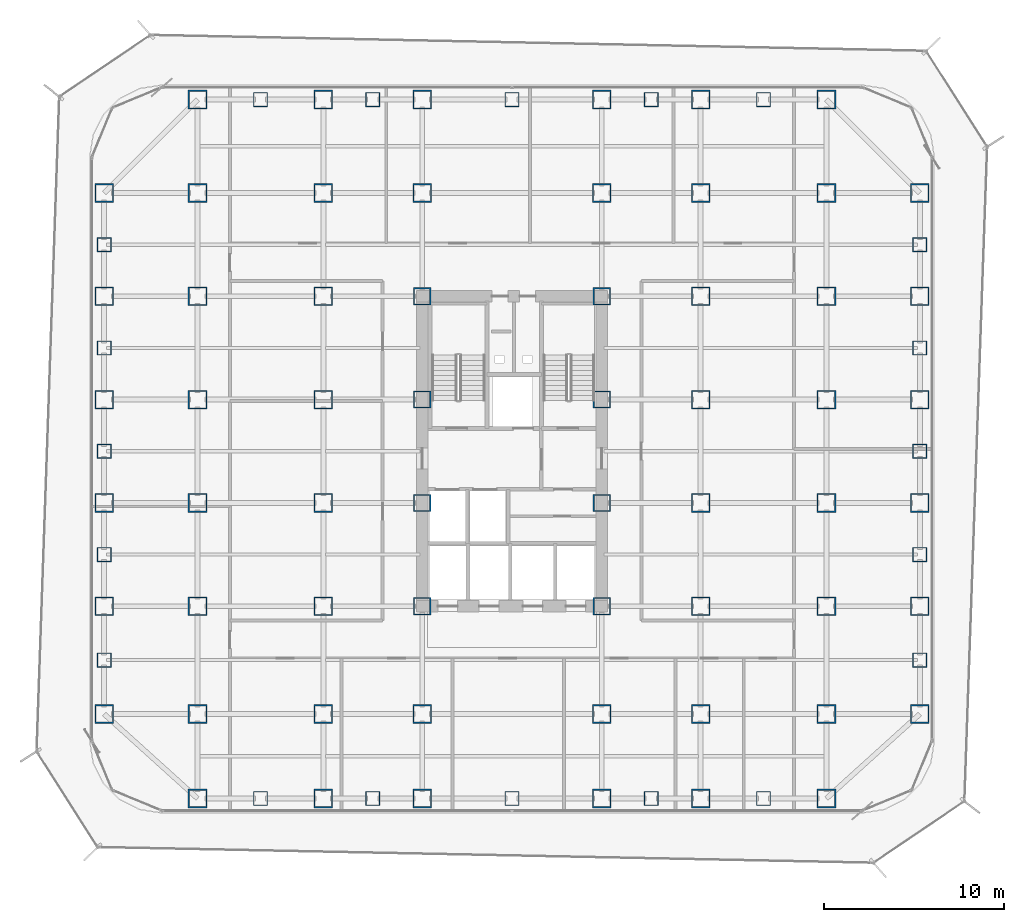
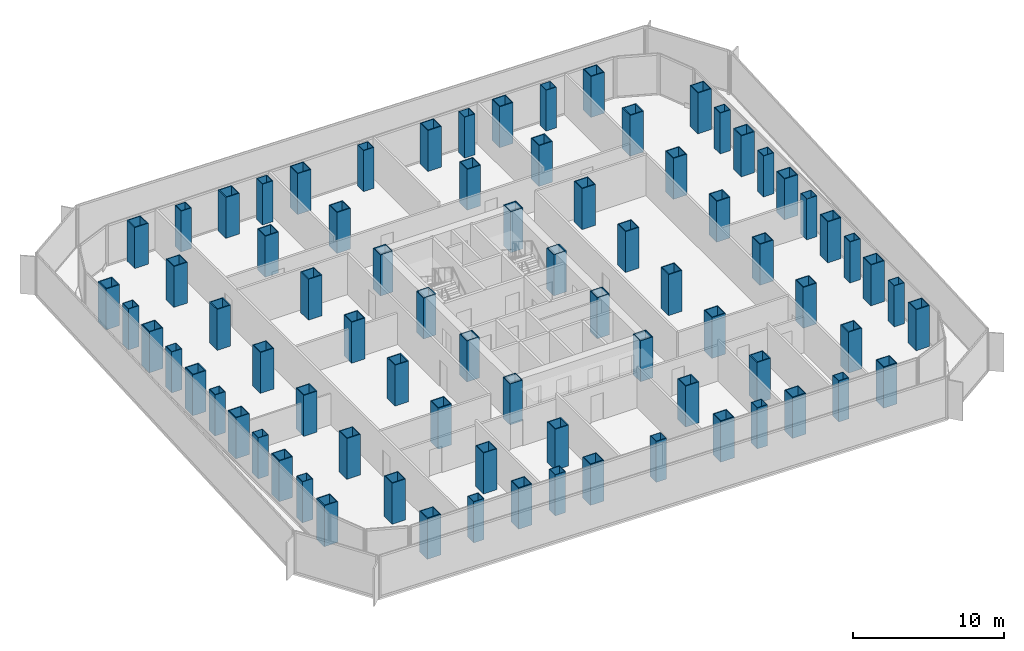
# One storey, part 1 of 22: 80 columns.
"""IFC4 building model written with IfcOpenShell, lengths in metres."""

from ifc_helpers import new_model, si_unit, direction, frame, origin, origin_2d, place, context, subcontext, project, spatial, hollow_rectangle, extrude, source, transform, mapped, material, material_profile, profile_set, type_object, element, save


model = new_model("IFC4")

# Units and contexts
model_context = context("Model", 3, precision=1e-05, world=origin(), true_north=direction((0.0, 1.0)))
body_context = subcontext(model_context, "Body", "Model", "MODEL_VIEW")
ifc_project = project(units=[si_unit("LENGTHUNIT", "METRE"), si_unit("AREAUNIT", "SQUARE_METRE"), si_unit("VOLUMEUNIT", "CUBIC_METRE"), si_unit("PLANEANGLEUNIT", "RADIAN"), si_unit("MASSUNIT", "GRAM", prefix="KILO")], contexts=[model_context])

# Site, building, storey
site_placement = place(None, origin())
site = spatial("IfcSite", under=ifc_project, at=site_placement, CompositionType="ELEMENT")
building_placement = place(site_placement, origin())
building = spatial("IfcBuilding", under=site, at=building_placement, Name="Kolveth Station Tower", CompositionType="ELEMENT")
storey_placement = place(building_placement, frame((0.0, 0.0, 65.699951171875)))
storey = spatial("IfcBuildingStorey", under=building, at=storey_placement, Name="L17", CompositionType="ELEMENT", Elevation=65.699951171875)

# Columns
ifc_material_1 = material(Name="Steel S460", Category="steel")
ifc_material_profile_1 = material_profile(ifc_material_1, hollow_rectangle(XDim=1.0400390625, YDim=1.0400390625, WallThickness=0.06494140625, at=origin_2d()), Name="BOX1040x1040x65")
ifc_profile_set_1 = profile_set([ifc_material_profile_1], Name="Steel S460")
column_type_1 = type_object("IfcColumnType", Name="Col_C2", PredefinedType="COLUMN", material=ifc_profile_set_1)
shared_shape_1 = source(origin(), body_context, "Body", "SweptSolid", [
    extrude(hollow_rectangle(XDim=1.0400390625, YDim=1.0400390625, WallThickness=0.06494140625, at=origin_2d()), origin(), (0.0, 0.0, 1.0), 3.320068359375),
])
for number, where, z_axis, x_axis, name in (
    (1, (6.0, 0.800048828125, 0.0), (0.0, 0.0, 1.0), (1.0, 0.0, 0.0), "L17 Tower Column S-X60"),
    (2, (6.0, 39.699951171875, 0.0), (0.0, 0.0, 1.0), (1.0, 0.0, 0.0), "L17 Tower Column N-X60"),
    (3, (13.0, 0.800048828125, 0.0), (0.0, 0.0, 1.0), (1.0, 0.0, 0.0), "L17 Tower Column S-X130"),
    (4, (13.0, 39.699951171875, 0.0), (0.0, 0.0, 1.0), (1.0, 0.0, 0.0), "L17 Tower Column N-X130"),
    (5, (18.5, 0.800048828125, 0.0), (0.0, 0.0, 1.0), (1.0, 0.0, 0.0), "L17 Tower Column S-X185"),
    (6, (18.5, 39.699951171875, 0.0), (0.0, 0.0, 1.0), (1.0, 0.0, 0.0), "L17 Tower Column N-X185"),
    (7, (28.5, 0.800048828125, 0.0), (0.0, 0.0, 1.0), (1.0, 0.0, 0.0), "L17 Tower Column S-X285"),
    (8, (28.5, 39.699951171875, 0.0), (0.0, 0.0, 1.0), (1.0, 0.0, 0.0), "L17 Tower Column N-X285"),
    (9, (34.0, 0.800048828125, 0.0), (0.0, 0.0, 1.0), (1.0, 0.0, 0.0), "L17 Tower Column S-X340"),
    (10, (34.0, 39.699951171875, 0.0), (0.0, 0.0, 1.0), (1.0, 0.0, 0.0), "L17 Tower Column N-X340"),
    (11, (41.0, 0.800048828125, 0.0), (0.0, 0.0, 1.0), (1.0, 0.0, 0.0), "L17 Tower Column S-X410"),
    (12, (41.0, 39.699951171875, 0.0), (0.0, 0.0, 1.0), (1.0, 0.0, 0.0), "L17 Tower Column N-X410"),
    (13, (0.800048828125, 5.5, 0.0), (0.0, 0.0, 1.0), (1.0, 0.0, 0.0), "L17 Tower Column W-Y55"),
    (14, (46.199951171875, 5.5, 0.0), (0.0, 0.0, 1.0), (1.0, 0.0, 0.0), "L17 Tower Column E-Y55"),
    (15, (0.800048828125, 11.5, 0.0), (0.0, 0.0, 1.0), (1.0, 0.0, 0.0), "L17 Tower Column W-Y115"),
    (16, (46.199951171875, 11.5, 0.0), (0.0, 0.0, 1.0), (1.0, 0.0, 0.0), "L17 Tower Column E-Y115"),
    (17, (0.800048828125, 17.25, 0.0), (0.0, 0.0, 1.0), (1.0, 0.0, 0.0), "L17 Tower Column W-Y172"),
    (18, (46.199951171875, 17.25, 0.0), (0.0, 0.0, 1.0), (1.0, 0.0, 0.0), "L17 Tower Column E-Y172"),
    (19, (0.800048828125, 23.0, 0.0), (0.0, 0.0, 1.0), (1.0, 0.0, 0.0), "L17 Tower Column W-Y230"),
    (20, (46.199951171875, 23.0, 0.0), (0.0, 0.0, 1.0), (1.0, 0.0, 0.0), "L17 Tower Column E-Y230"),
    (21, (0.800048828125, 28.75, 0.0), (0.0, 0.0, 1.0), (1.0, 0.0, 0.0), "L17 Tower Column W-Y287"),
    (22, (46.199951171875, 28.75, 0.0), (0.0, 0.0, 1.0), (1.0, 0.0, 0.0), "L17 Tower Column E-Y287"),
    (23, (0.800048828125, 34.5, 0.0), (0.0, 0.0, 1.0), (1.0, 0.0, 0.0), "L17 Tower Column W-Y345"),
    (24, (46.199951171875, 34.5, 0.0), (0.0, 0.0, 1.0), (1.0, 0.0, 0.0), "L17 Tower Column E-Y345"),
    (25, (6.0, 5.5, 0.0), (0.0, 0.0, 1.0), (1.0, 0.0, 0.0), "L17 Tower Column G-60-55"),
    (26, (6.0, 11.5, 0.0), (0.0, 0.0, 1.0), (1.0, 0.0, 0.0), "L17 Tower Column G-60-115"),
    (27, (6.0, 17.25, 0.0), (0.0, 0.0, 1.0), (1.0, 0.0, 0.0), "L17 Tower Column G-60-172"),
    (28, (6.0, 23.0, 0.0), (0.0, 0.0, 1.0), (1.0, 0.0, 0.0), "L17 Tower Column G-60-230"),
    (29, (6.0, 28.75, 0.0), (0.0, 0.0, 1.0), (1.0, 0.0, 0.0), "L17 Tower Column G-60-287"),
    (30, (6.0, 34.5, 0.0), (0.0, 0.0, 1.0), (1.0, 0.0, 0.0), "L17 Tower Column G-60-345"),
    (31, (13.0, 5.5, 0.0), (0.0, 0.0, 1.0), (1.0, 0.0, 0.0), "L17 Tower Column G-130-55"),
    (32, (13.0, 11.5, 0.0), (0.0, 0.0, 1.0), (1.0, 0.0, 0.0), "L17 Tower Column G-130-115"),
    (33, (13.0, 17.25, 0.0), (0.0, 0.0, 1.0), (1.0, 0.0, 0.0), "L17 Tower Column G-130-172"),
    (34, (13.0, 23.0, 0.0), (0.0, 0.0, 1.0), (1.0, 0.0, 0.0), "L17 Tower Column G-130-230"),
    (35, (13.0, 28.75, 0.0), (0.0, 0.0, 1.0), (1.0, 0.0, 0.0), "L17 Tower Column G-130-287"),
    (36, (13.0, 34.5, 0.0), (0.0, 0.0, 1.0), (1.0, 0.0, 0.0), "L17 Tower Column G-130-345"),
    (37, (18.5, 5.5, 0.0), (0.0, 0.0, 1.0), (1.0, 0.0, 0.0), "L17 Tower Column G-185-55"),
    (38, (18.5, 34.5, 0.0), (0.0, 0.0, 1.0), (1.0, 0.0, 0.0), "L17 Tower Column G-185-345"),
    (39, (28.5, 5.5, 0.0), (0.0, 0.0, 1.0), (1.0, 0.0, 0.0), "L17 Tower Column G-285-55"),
    (40, (28.5, 34.5, 0.0), (0.0, 0.0, 1.0), (1.0, 0.0, 0.0), "L17 Tower Column G-285-345"),
    (41, (34.0, 5.5, 0.0), (0.0, 0.0, 1.0), (1.0, 0.0, 0.0), "L17 Tower Column G-340-55"),
    (42, (34.0, 11.5, 0.0), (0.0, 0.0, 1.0), (1.0, 0.0, 0.0), "L17 Tower Column G-340-115"),
    (43, (34.0, 17.25, 0.0), (0.0, 0.0, 1.0), (1.0, 0.0, 0.0), "L17 Tower Column G-340-172"),
    (44, (34.0, 23.0, 0.0), (0.0, 0.0, 1.0), (1.0, 0.0, 0.0), "L17 Tower Column G-340-230"),
    (45, (34.0, 28.75, 0.0), (0.0, 0.0, 1.0), (1.0, 0.0, 0.0), "L17 Tower Column G-340-287"),
    (46, (34.0, 34.5, 0.0), (0.0, 0.0, 1.0), (1.0, 0.0, 0.0), "L17 Tower Column G-340-345"),
    (47, (41.0, 5.5, 0.0), (0.0, 0.0, 1.0), (1.0, 0.0, 0.0), "L17 Tower Column G-410-55"),
    (48, (41.0, 11.5, 0.0), (0.0, 0.0, 1.0), (1.0, 0.0, 0.0), "L17 Tower Column G-410-115"),
    (49, (41.0, 17.25, 0.0), (0.0, 0.0, 1.0), (1.0, 0.0, 0.0), "L17 Tower Column G-410-172"),
    (50, (41.0, 23.0, 0.0), (0.0, 0.0, 1.0), (1.0, 0.0, 0.0), "L17 Tower Column G-410-230"),
    (51, (41.0, 28.75, 0.0), (0.0, 0.0, 1.0), (1.0, 0.0, 0.0), "L17 Tower Column G-410-287"),
    (52, (41.0, 34.5, 0.0), (0.0, 0.0, 1.0), (1.0, 0.0, 0.0), "L17 Tower Column G-410-345"),
):
    element("IfcColumn", number, at=place(storey_placement, frame(where, z_axis=z_axis, x_axis=x_axis)), inside=storey, type_object=column_type_1, Name=name, PredefinedType="COLUMN", context=body_context, shape_type="MappedRepresentation", body=[
        mapped(shared_shape_1, transform((0.0, 0.0, 0.0), x_axis=(1.0, 0.0, 0.0), y_axis=(0.0, 1.0, 0.0), z_axis=(0.0, 0.0, 1.0), scale=1.0)),
    ])
ifc_material_profile_2 = material_profile(ifc_material_1, hollow_rectangle(XDim=0.9599609375, YDim=0.9599609375, WallThickness=0.06005859375, at=origin_2d()), Name="BOX960x960x60")
ifc_profile_set_2 = profile_set([ifc_material_profile_2], Name="Steel S460")
column_type_2 = type_object("IfcColumnType", Name="Col_C3", PredefinedType="COLUMN", material=ifc_profile_set_2)
shared_shape_2 = source(origin(), body_context, "Body", "SweptSolid", [
    extrude(hollow_rectangle(XDim=0.9599609375, YDim=0.9599609375, WallThickness=0.06005859375, at=origin_2d()), origin(), (0.0, 0.0, 1.0), 3.320068359375),
])
for number, where, z_axis, x_axis, name in (
    (53, (18.5, 11.5, 0.0), (0.0, 0.0, 1.0), (1.0, 0.0, 0.0), "L17 Tower Column G-185-115"),
    (54, (18.5, 17.25, 0.0), (0.0, 0.0, 1.0), (1.0, 0.0, 0.0), "L17 Tower Column G-185-172"),
    (55, (18.5, 23.0, 0.0), (0.0, 0.0, 1.0), (1.0, 0.0, 0.0), "L17 Tower Column G-185-230"),
    (56, (18.5, 28.75, 0.0), (0.0, 0.0, 1.0), (1.0, 0.0, 0.0), "L17 Tower Column G-185-287"),
    (57, (28.5, 11.5, 0.0), (0.0, 0.0, 1.0), (1.0, 0.0, 0.0), "L17 Tower Column G-285-115"),
    (58, (28.5, 17.25, 0.0), (0.0, 0.0, 1.0), (1.0, 0.0, 0.0), "L17 Tower Column G-285-172"),
    (59, (28.5, 23.0, 0.0), (0.0, 0.0, 1.0), (1.0, 0.0, 0.0), "L17 Tower Column G-285-230"),
    (60, (28.5, 28.75, 0.0), (0.0, 0.0, 1.0), (1.0, 0.0, 0.0), "L17 Tower Column G-285-287"),
):
    element("IfcColumn", number, at=place(storey_placement, frame(where, z_axis=z_axis, x_axis=x_axis)), inside=storey, type_object=column_type_2, Name=name, PredefinedType="COLUMN", context=body_context, shape_type="MappedRepresentation", body=[
        mapped(shared_shape_2, transform((0.0, 0.0, 0.0), x_axis=(1.0, 0.0, 0.0), y_axis=(0.0, 1.0, 0.0), z_axis=(0.0, 0.0, 1.0), scale=1.0)),
    ])
ifc_material_2 = material(Name="Steel S355", Category="steel")
ifc_material_profile_3 = material_profile(ifc_material_2, hollow_rectangle(XDim=0.800048828125, YDim=0.800048828125, WallThickness=0.044921875, at=origin_2d()), Name="BOX800x800x45")
ifc_profile_set_3 = profile_set([ifc_material_profile_3], Name="Steel S355")
column_type_3 = type_object("IfcColumnType", Name="Col_C5", PredefinedType="COLUMN", material=ifc_profile_set_3)
shared_shape_3 = source(origin(), body_context, "Body", "SweptSolid", [
    extrude(hollow_rectangle(XDim=0.800048828125, YDim=0.800048828125, WallThickness=0.044921875, at=origin_2d()), origin(), (0.0, 0.0, 1.0), 3.320068359375),
])
for number, where, z_axis, x_axis, name in (
    (61, (9.5, 0.800048828125, 0.0), (0.0, 0.0, 1.0), (1.0, 0.0, 0.0), "L17 Tower Column MS-X95"),
    (62, (9.5, 39.699951171875, 0.0), (0.0, 0.0, 1.0), (1.0, 0.0, 0.0), "L17 Tower Column MN-X95"),
    (63, (15.75, 0.800048828125, 0.0), (0.0, 0.0, 1.0), (1.0, 0.0, 0.0), "L17 Tower Column MS-X157"),
    (64, (15.75, 39.699951171875, 0.0), (0.0, 0.0, 1.0), (1.0, 0.0, 0.0), "L17 Tower Column MN-X157"),
    (65, (23.5, 0.800048828125, 0.0), (0.0, 0.0, 1.0), (1.0, 0.0, 0.0), "L17 Tower Column MS-X235"),
    (66, (23.5, 39.699951171875, 0.0), (0.0, 0.0, 1.0), (1.0, 0.0, 0.0), "L17 Tower Column MN-X235"),
    (67, (31.25, 0.800048828125, 0.0), (0.0, 0.0, 1.0), (1.0, 0.0, 0.0), "L17 Tower Column MS-X312"),
    (68, (31.25, 39.699951171875, 0.0), (0.0, 0.0, 1.0), (1.0, 0.0, 0.0), "L17 Tower Column MN-X312"),
    (69, (37.5, 0.800048828125, 0.0), (0.0, 0.0, 1.0), (1.0, 0.0, 0.0), "L17 Tower Column MS-X375"),
    (70, (37.5, 39.699951171875, 0.0), (0.0, 0.0, 1.0), (1.0, 0.0, 0.0), "L17 Tower Column MN-X375"),
    (71, (0.800048828125, 8.5, 0.0), (0.0, 0.0, 1.0), (1.0, 0.0, 0.0), "L17 Tower Column MW-Y85"),
    (72, (46.199951171875, 8.5, 0.0), (0.0, 0.0, 1.0), (1.0, 0.0, 0.0), "L17 Tower Column ME-Y85"),
    (73, (0.800048828125, 14.375, 0.0), (0.0, 0.0, 1.0), (1.0, 0.0, 0.0), "L17 Tower Column MW-Y143"),
    (74, (46.199951171875, 14.375, 0.0), (0.0, 0.0, 1.0), (1.0, 0.0, 0.0), "L17 Tower Column ME-Y143"),
    (75, (0.800048828125, 20.125, 0.0), (0.0, 0.0, 1.0), (1.0, 0.0, 0.0), "L17 Tower Column MW-Y201"),
    (76, (46.199951171875, 20.125, 0.0), (0.0, 0.0, 1.0), (1.0, 0.0, 0.0), "L17 Tower Column ME-Y201"),
    (77, (0.800048828125, 25.875, 0.0), (0.0, 0.0, 1.0), (1.0, 0.0, 0.0), "L17 Tower Column MW-Y258"),
    (78, (46.199951171875, 25.875, 0.0), (0.0, 0.0, 1.0), (1.0, 0.0, 0.0), "L17 Tower Column ME-Y258"),
    (79, (0.800048828125, 31.625, 0.0), (0.0, 0.0, 1.0), (1.0, 0.0, 0.0), "L17 Tower Column MW-Y316"),
    (80, (46.199951171875, 31.625, 0.0), (0.0, 0.0, 1.0), (1.0, 0.0, 0.0), "L17 Tower Column ME-Y316"),
):
    element("IfcColumn", number, at=place(storey_placement, frame(where, z_axis=z_axis, x_axis=x_axis)), inside=storey, type_object=column_type_3, Name=name, PredefinedType="COLUMN", context=body_context, shape_type="MappedRepresentation", body=[
        mapped(shared_shape_3, transform((0.0, 0.0, 0.0), x_axis=(1.0, 0.0, 0.0), y_axis=(0.0, 1.0, 0.0), z_axis=(0.0, 0.0, 1.0), scale=1.0)),
    ])

save(model, "model.ifc")
